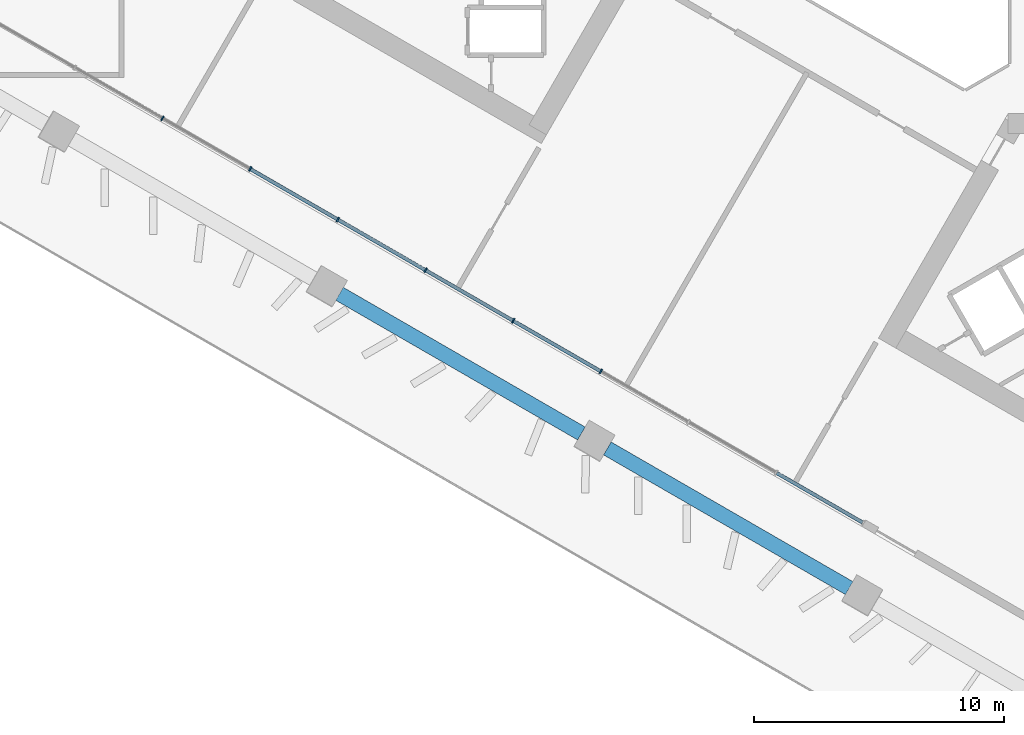
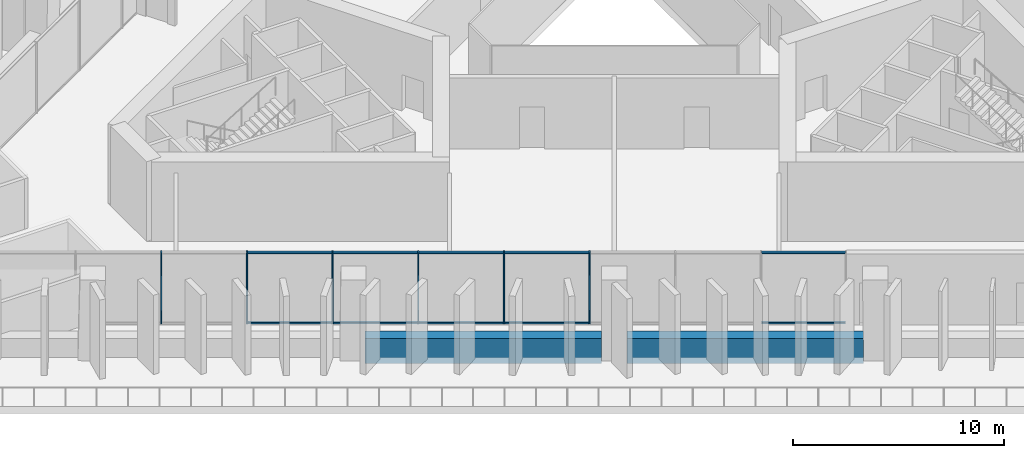
# One storey, part 2 of 31: 16 members, 2 beams, 1 element without a shape of its own.
"""IFC4 building model written with IfcOpenShell, lengths in metres."""

from ifc_helpers import new_model, si_unit, direction, frame, origin, origin_2d, place, context, subcontext, project, spatial, rectangle, extrude, material, layer, layer_set, material_profile, profile_set, type_object, element, aggregate, save


model = new_model("IFC4")

# Units and contexts
model_context = context("Model", 3, precision=1e-05, world=origin(), true_north=direction((0.0, 1.0)))
body_context = subcontext(model_context, "Body", "Model", "MODEL_VIEW")
ifc_project = project(units=[si_unit("LENGTHUNIT", "METRE"), si_unit("AREAUNIT", "SQUARE_METRE"), si_unit("VOLUMEUNIT", "CUBIC_METRE"), si_unit("PLANEANGLEUNIT", "RADIAN"), si_unit("MASSUNIT", "GRAM", prefix="KILO")], contexts=[model_context])

# Site, building, storey
site_placement = place(None, origin())
site = spatial("IfcSite", under=ifc_project, at=site_placement, CompositionType="ELEMENT")
building_placement = place(site_placement, origin())
building = spatial("IfcBuilding", under=site, at=building_placement, Name="Jabali Bay Hotel Tower and Convention Centre", CompositionType="ELEMENT")
storey_placement = place(building_placement, frame((0.0, 0.0, 25.39990234375)))
storey = spatial("IfcBuildingStorey", under=building, at=storey_placement, Name="L04", CompositionType="ELEMENT", Elevation=25.39990234375)

# Curtain wall, members
ifc_material_1 = material(Name="Aluminium and glass", Category="aluminium")
ifc_layer = layer(ifc_material_1, 0.199951171875)
ifc_layer_set = layer_set([ifc_layer], Name="Aluminium and glass")
curtain_wall_type = type_object("IfcCurtainWallType", Name="CW6 curtain wall", PredefinedType="NOTDEFINED", material=ifc_layer_set)
curtain_wall_placement = place(storey_placement, origin())
curtain_wall = element("IfcCurtainWall", 1, at=curtain_wall_placement, inside=storey, type_object=curtain_wall_type, Name="CW6 curtain wall south-west face L04", PredefinedType="NOTDEFINED")
ifc_material_2 = material(Name="Aluminium", Category="aluminium")
ifc_material_profile_1 = material_profile(ifc_material_2, rectangle(XDim=0.199951171875, YDim=0.06005859375, at=origin_2d()), Name="CW6 mullion 60 x 200")
ifc_profile_set_1 = profile_set([ifc_material_profile_1], Name="Aluminium")
member_type_1 = type_object("IfcMemberType", Name="CW6 mullion 60 x 200", PredefinedType="MULLION", material=ifc_profile_set_1)
member_1_placement = place(storey_placement, frame((63.19091796875, 61.884765625, 0.0), z_axis=(0.0, 0.0, 1.0), x_axis=(-0.499999997944, -0.866025404971, 0.0)))
member_1 = element("IfcMember", 2, at=member_1_placement, type_object=member_type_1, Name="CW6 mullion 4", PredefinedType="MULLION", context=body_context, shape_type="SweptSolid", body=[
    extrude(rectangle(XDim=0.199951171875, YDim=0.06005859375, at=origin_2d()), origin(), (0.0, 0.0, 1.0), 4.10009765625),
])
member_2_placement = place(storey_placement, frame((59.68017578125, 63.91162109375, 0.0), z_axis=(0.0, 0.0, 1.0), x_axis=(-0.499999997944, -0.866025404971, 0.0)))
member_2 = element("IfcMember", 3, at=member_2_placement, type_object=member_type_1, Name="CW6 mullion 5", PredefinedType="MULLION", context=body_context, shape_type="SweptSolid", body=[
    extrude(rectangle(XDim=0.199951171875, YDim=0.06005859375, at=origin_2d()), origin(), (0.0, 0.0, 1.0), 4.10009765625),
])
member_3_placement = place(storey_placement, frame((56.169677734375, 65.9384765625, 0.0), z_axis=(0.0, 0.0, 1.0), x_axis=(-0.499999997944, -0.866025404971, 0.0)))
member_3 = element("IfcMember", 4, at=member_3_placement, type_object=member_type_1, Name="CW6 mullion 6", PredefinedType="MULLION", context=body_context, shape_type="SweptSolid", body=[
    extrude(rectangle(XDim=0.199951171875, YDim=0.06005859375, at=origin_2d()), origin(), (0.0, 0.0, 1.0), 4.10009765625),
])
member_4_placement = place(storey_placement, frame((52.658935546875, 67.96533203125, 0.0), z_axis=(0.0, 0.0, 1.0), x_axis=(-0.499999997944, -0.866025404971, 0.0)))
member_4 = element("IfcMember", 5, at=member_4_placement, type_object=member_type_1, Name="CW6 mullion 7", PredefinedType="MULLION", context=body_context, shape_type="SweptSolid", body=[
    extrude(rectangle(XDim=0.199951171875, YDim=0.06005859375, at=origin_2d()), origin(), (0.0, 0.0, 1.0), 4.10009765625),
])
member_5_placement = place(storey_placement, frame((49.148193359375, 69.9921875, 0.0), z_axis=(0.0, 0.0, 1.0), x_axis=(-0.499999997944, -0.866025404971, 0.0)))
member_5 = element("IfcMember", 6, at=member_5_placement, type_object=member_type_1, Name="CW6 mullion 8", PredefinedType="MULLION", context=body_context, shape_type="SweptSolid", body=[
    extrude(rectangle(XDim=0.199951171875, YDim=0.06005859375, at=origin_2d()), origin(), (0.0, 0.0, 1.0), 4.10009765625),
])
member_6_placement = place(storey_placement, frame((45.637451171875, 72.01904296875, 0.0), z_axis=(0.0, 0.0, 1.0), x_axis=(-0.499999997944, -0.866025404971, 0.0)))
member_6 = element("IfcMember", 7, at=member_6_placement, type_object=member_type_1, Name="CW6 mullion 9", PredefinedType="MULLION", context=body_context, shape_type="SweptSolid", body=[
    extrude(rectangle(XDim=0.199951171875, YDim=0.06005859375, at=origin_2d()), origin(), (0.0, 0.0, 1.0), 4.10009765625),
])
ifc_material_profile_2 = material_profile(ifc_material_2, rectangle(XDim=0.139892578125, YDim=0.06005859375, at=origin_2d()), Name="CW6 transom 60 x 140")
ifc_profile_set_2 = profile_set([ifc_material_profile_2], Name="Aluminium")
member_type_2 = type_object("IfcMemberType", Name="CW6 transom 60 x 140", PredefinedType="USERDEFINED", material=ifc_profile_set_2)
member_7_placement = place(storey_placement, frame((73.671142578125, 55.833984375, 0.030029296875), z_axis=(-0.866028661061, 0.499994358189, 0.0), x_axis=(-0.499994358189, -0.866028661061, 0.0)))
member_7 = element("IfcMember", 8, at=member_7_placement, type_object=member_type_2, Name="CW6 transom 1.1", ObjectType="TRANSOM", PredefinedType="USERDEFINED", context=body_context, shape_type="SweptSolid", body=[
    extrude(rectangle(XDim=0.139892578125, YDim=0.06005859375, at=origin_2d()), origin(), (0.0, 0.0, 1.0), 3.9638671875),
])
member_8_placement = place(storey_placement, frame((73.671142578125, 55.833984375, 4.070068359375), z_axis=(-0.866028661061, 0.499994358189, 0.0), x_axis=(-0.499994358189, -0.866028661061, 0.0)))
member_8 = element("IfcMember", 9, at=member_8_placement, type_object=member_type_2, Name="CW6 transom 1.2", ObjectType="TRANSOM", PredefinedType="USERDEFINED", context=body_context, shape_type="SweptSolid", body=[
    extrude(rectangle(XDim=0.139892578125, YDim=0.06005859375, at=origin_2d()), origin(), (0.0, 0.0, 1.0), 3.9638671875),
])
member_9_placement = place(storey_placement, frame((63.1650390625, 61.899658203125, 0.030029296875), z_axis=(-0.866033907579, 0.499985270706, 0.0), x_axis=(-0.499985270706, -0.866033907579, 0.0)))
member_9 = element("IfcMember", 10, at=member_9_placement, type_object=member_type_2, Name="CW6 transom 4.1", ObjectType="TRANSOM", PredefinedType="USERDEFINED", context=body_context, shape_type="SweptSolid", body=[
    extrude(rectangle(XDim=0.139892578125, YDim=0.06005859375, at=origin_2d()), origin(), (0.0, 0.0, 1.0), 3.99365234375),
])
member_10_placement = place(storey_placement, frame((63.1650390625, 61.899658203125, 4.070068359375), z_axis=(-0.866033907579, 0.499985270706, 0.0), x_axis=(-0.499985270706, -0.866033907579, 0.0)))
member_10 = element("IfcMember", 11, at=member_10_placement, type_object=member_type_2, Name="CW6 transom 4.2", ObjectType="TRANSOM", PredefinedType="USERDEFINED", context=body_context, shape_type="SweptSolid", body=[
    extrude(rectangle(XDim=0.139892578125, YDim=0.06005859375, at=origin_2d()), origin(), (0.0, 0.0, 1.0), 3.99365234375),
])
member_11_placement = place(storey_placement, frame((59.654296875, 63.926513671875, 0.030029296875), z_axis=(-0.866033907579, 0.499985270706, 0.0), x_axis=(-0.499985270706, -0.866033907579, 0.0)))
member_11 = element("IfcMember", 12, at=member_11_placement, type_object=member_type_2, Name="CW6 transom 5.1", ObjectType="TRANSOM", PredefinedType="USERDEFINED", context=body_context, shape_type="SweptSolid", body=[
    extrude(rectangle(XDim=0.139892578125, YDim=0.06005859375, at=origin_2d()), origin(), (0.0, 0.0, 1.0), 3.99365234375),
])
member_12_placement = place(storey_placement, frame((59.654296875, 63.926513671875, 4.070068359375), z_axis=(-0.866033907579, 0.499985270706, 0.0), x_axis=(-0.499985270706, -0.866033907579, 0.0)))
member_12 = element("IfcMember", 13, at=member_12_placement, type_object=member_type_2, Name="CW6 transom 5.2", ObjectType="TRANSOM", PredefinedType="USERDEFINED", context=body_context, shape_type="SweptSolid", body=[
    extrude(rectangle(XDim=0.139892578125, YDim=0.06005859375, at=origin_2d()), origin(), (0.0, 0.0, 1.0), 3.99365234375),
])
member_13_placement = place(storey_placement, frame((56.1435546875, 65.953369140625, 0.030029296875), z_axis=(-0.866007437469, 0.50003111728, 0.0), x_axis=(-0.50003111728, -0.866007437469, 0.0)))
member_13 = element("IfcMember", 14, at=member_13_placement, type_object=member_type_2, Name="CW6 transom 6.1", ObjectType="TRANSOM", PredefinedType="USERDEFINED", context=body_context, shape_type="SweptSolid", body=[
    extrude(rectangle(XDim=0.139892578125, YDim=0.06005859375, at=origin_2d()), origin(), (0.0, 0.0, 1.0), 3.993896484375),
])
member_14_placement = place(storey_placement, frame((56.1435546875, 65.953369140625, 4.070068359375), z_axis=(-0.866007437469, 0.50003111728, 0.0), x_axis=(-0.50003111728, -0.866007437469, 0.0)))
member_14 = element("IfcMember", 15, at=member_14_placement, type_object=member_type_2, Name="CW6 transom 6.2", ObjectType="TRANSOM", PredefinedType="USERDEFINED", context=body_context, shape_type="SweptSolid", body=[
    extrude(rectangle(XDim=0.139892578125, YDim=0.06005859375, at=origin_2d()), origin(), (0.0, 0.0, 1.0), 3.993896484375),
])
member_15_placement = place(storey_placement, frame((52.6328125, 67.980224609375, 0.030029296875), z_axis=(-0.865992152229, 0.500057588962, 0.0), x_axis=(-0.500057588962, -0.865992152229, 0.0)))
member_15 = element("IfcMember", 16, at=member_15_placement, type_object=member_type_2, Name="CW6 transom 7.1", ObjectType="TRANSOM", PredefinedType="USERDEFINED", context=body_context, shape_type="SweptSolid", body=[
    extrude(rectangle(XDim=0.139892578125, YDim=0.06005859375, at=origin_2d()), origin(), (0.0, 0.0, 1.0), 3.99365234375),
])
member_16_placement = place(storey_placement, frame((52.6328125, 67.980224609375, 4.070068359375), z_axis=(-0.865992152229, 0.500057588962, 0.0), x_axis=(-0.500057588962, -0.865992152229, 0.0)))
member_16 = element("IfcMember", 17, at=member_16_placement, type_object=member_type_2, Name="CW6 transom 7.2", ObjectType="TRANSOM", PredefinedType="USERDEFINED", context=body_context, shape_type="SweptSolid", body=[
    extrude(rectangle(XDim=0.139892578125, YDim=0.06005859375, at=origin_2d()), origin(), (0.0, 0.0, 1.0), 3.99365234375),
])
aggregate(curtain_wall, [member_1, member_2, member_3, member_4, member_5, member_6, member_7, member_8, member_9, member_10, member_11, member_12, member_13, member_14, member_15, member_16])

# Beams
ifc_material_3 = material(Name="Concrete C60", Category="concrete")
ifc_material_profile_3 = material_profile(ifc_material_3, rectangle(XDim=0.60009765625, YDim=1.449951171875, at=origin_2d()), Name="Spandrel 600x1450")
ifc_profile_set_3 = profile_set([ifc_material_profile_3], Name="Concrete C60")
beam_type = type_object("IfcBeamType", Name="Spandrel 600x1450", PredefinedType="SPANDREL", material=ifc_profile_set_3)
for number, where, z_axis, x_axis, name in (
    (18, (52.72607421875, 64.99072265625, 0.375), (0.866030381124, -0.499991378895, 0.0), (0.499991378895, 0.866030381124, 0.0), "Spandrel F2.2-F2.3 L04"),
    (19, (63.451904296875, 58.79833984375, 0.375), (0.866020929808, -0.500007749075, 0.0), (0.500007749075, 0.866020929808, 0.0), "Spandrel F2.3-F2.4 L04"),
):
    element("IfcBeam", number, at=place(storey_placement, frame(where, z_axis=z_axis, x_axis=x_axis)), inside=storey, type_object=beam_type, Name=name, PredefinedType="SPANDREL", context=body_context, shape_type="SweptSolid", body=[
        extrude(rectangle(XDim=0.60009765625, YDim=1.449951171875, at=origin_2d()), origin(), (0.0, 0.0, 1.0), 11.185302734375),
    ])

save(model, "model.ifc")
